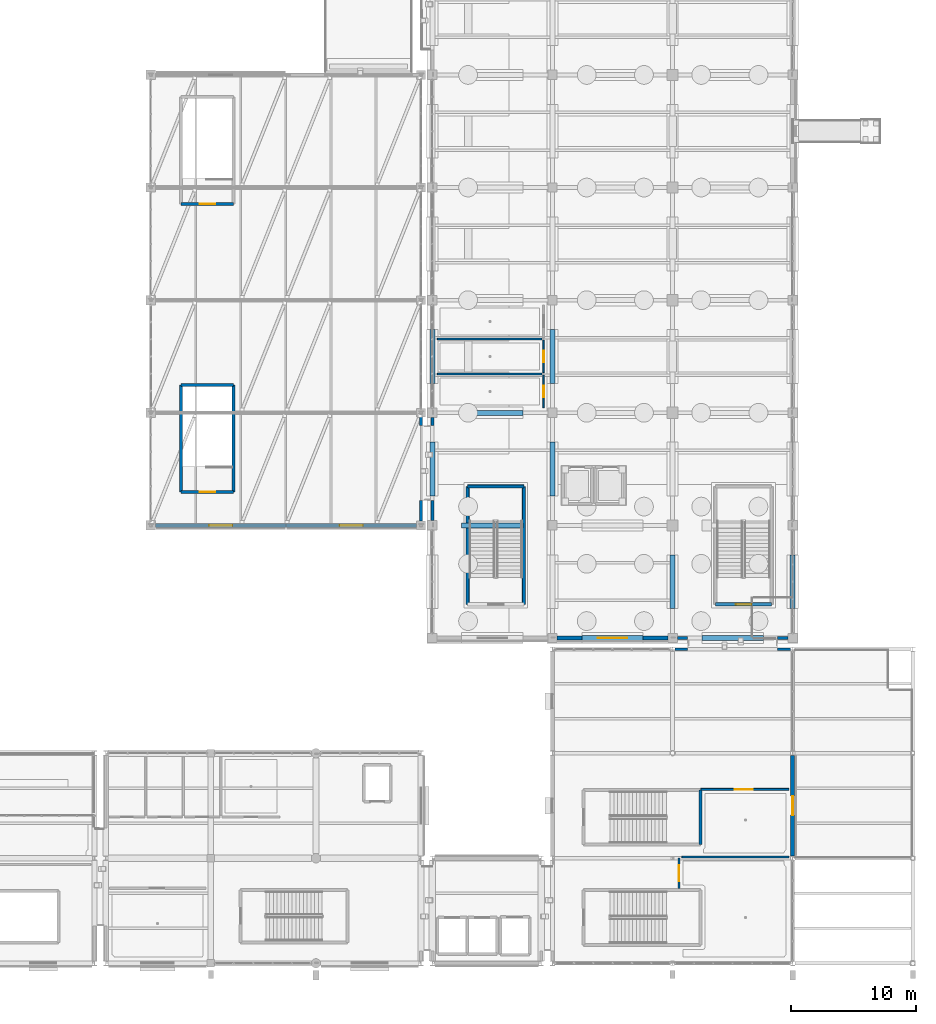
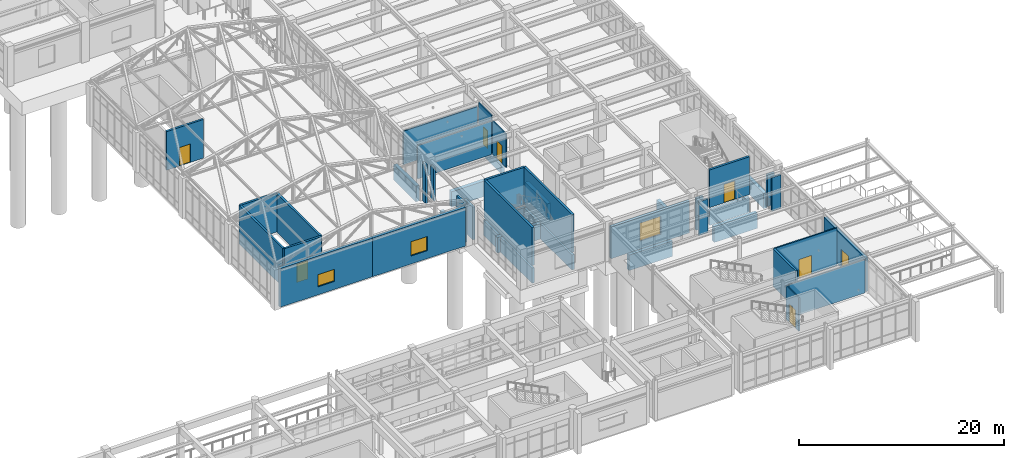
# One storey, part 112 of 139: 43 walls, 8 doors, 3 windows, 11 openings.
"""IFC4 building model written with IfcOpenShell, lengths in metres."""

import ifcopenshell
import ifcopenshell.guid

model = None  # the IFC model being written
_history = None  # IfcOwnerHistory: only IFC2X3 demands one
_inside = {}  # id of a spatial element -> (the spatial element, [elements in it])
_under = {}  # id of a project, library or spatial element -> (it, [spatial elements below it])
_declared = {}  # id of a project -> (the project, [libraries it declares])
_typed = {}  # id of a type object -> (the type object, [elements of that type])
_made_of = {}  # id of a material, layer set ... -> (it, [elements and type objects made of it])


def new_model(schema):
    """Start an empty IFC model of exactly this schema.

    Asked for "IFC4X3", IfcOpenShell would pick the latest addendum, in which some entities
    have other attributes; the version numbers below select the first issue.
    IFC2X3 requires an IfcOwnerHistory on every rooted entity: one is made here for all.
    """
    global model, _history
    if schema == "IFC4X3":
        model = ifcopenshell.file(schema_version=(4, 3, 0, 0))
    else:
        model = ifcopenshell.file(schema=schema)
    _inside.clear()
    _under.clear()
    _declared.clear()
    _typed.clear()
    _made_of.clear()
    _history = None
    if model.schema == "IFC2X3":
        org = make("IfcOrganization", Name="unknown")
        user = make(
            "IfcPersonAndOrganization",
            ThePerson=make("IfcPerson", FamilyName="unknown"),
            TheOrganization=org,
        )
        app = make(
            "IfcApplication",
            ApplicationDeveloper=org,
            Version="unknown",
            ApplicationFullName="unknown",
            ApplicationIdentifier="unknown",
        )
        _history = make(
            "IfcOwnerHistory",
            OwningUser=user,
            OwningApplication=app,
            ChangeAction="ADDED",
            CreationDate=0,
        )
    return model


def make(cls, **values):
    """One entity of the class cls with the attributes given. An attribute that is None is left unset."""
    return model.create_entity(
        cls, **{name: value for name, value in values.items() if value is not None}
    )


def rooted(cls, **values):
    """An entity with a GlobalId (a new one), such as an element, a storey or a relation."""
    return make(cls, GlobalId=ifcopenshell.guid.new(), OwnerHistory=_history, **values)


def si_unit(unit_type, name, prefix=None):
    """IfcSIUnit, for example si_unit("LENGTHUNIT", "METRE", prefix="MILLI")."""
    return make("IfcSIUnit", UnitType=unit_type, Prefix=prefix, Name=name)


def assignment(units):
    """IfcUnitAssignment: the units of a project."""
    return None if units is None else make("IfcUnitAssignment", Units=units)


def point(xyz):
    """IfcCartesianPoint."""
    return None if xyz is None else make("IfcCartesianPoint", Coordinates=xyz)


def direction(xyz):
    """IfcDirection."""
    return None if xyz is None else make("IfcDirection", DirectionRatios=xyz)


def frame(location, z_axis=None, x_axis=None):
    """IfcAxis2Placement3D, a coordinate frame: its origin and axes. An axis left out is left unset."""
    return make(
        "IfcAxis2Placement3D",
        Location=point(location),
        Axis=direction(z_axis),
        RefDirection=direction(x_axis),
    )


def frame_2d(location, x_axis=None):
    """IfcAxis2Placement2D, a coordinate frame in the plane: its origin and x axis."""
    return make(
        "IfcAxis2Placement2D", Location=point(location), RefDirection=direction(x_axis)
    )


def origin():
    """The frame at (0, 0, 0) with its axes left unset."""
    return frame((0.0, 0.0, 0.0))


def place(relative_to, where):
    """IfcLocalPlacement: puts the frame where relative to a parent placement (None: the world)."""
    return make(
        "IfcLocalPlacement", PlacementRelTo=relative_to, RelativePlacement=where
    )


def context(
    kind, dimensions, precision=None, world=None, true_north=None, identifier=None
):
    """IfcGeometricRepresentationContext, for example the 3D "Model" context."""
    return make(
        "IfcGeometricRepresentationContext",
        ContextIdentifier=identifier,
        ContextType=kind,
        CoordinateSpaceDimension=dimensions,
        Precision=precision,
        WorldCoordinateSystem=world,
        TrueNorth=true_north,
    )


def subcontext(parent, identifier, kind, view, scale=None):
    """IfcGeometricRepresentationSubContext, for example "Body" below "Model"."""
    return make(
        "IfcGeometricRepresentationSubContext",
        ContextIdentifier=identifier,
        ContextType=kind,
        ParentContext=parent,
        TargetScale=scale,
        TargetView=view,
    )


def project(units=None, contexts=None):
    """IfcProject with its units and contexts."""
    return rooted(
        "IfcProject",
        Name="project",
        RepresentationContexts=contexts,
        UnitsInContext=assignment(units),
    )


def spatial(cls, under=None, at=None, **own):
    """A site, building, storey or space (cls), placed at a placement, below another one or the project."""
    s = rooted(cls, ObjectPlacement=at, **own)
    if under is not None:
        _under.setdefault(under.id(), (under, []))[1].append(s)
    return s


def profile(cls, at=None, kind="AREA", **sizes):
    """A parametric profile (cls). Its sizes go by their IFC names, for example OverallWidth=200.0."""
    return make(cls, ProfileType=kind, Position=at, **sizes)


def rectangle(**sizes):
    """IfcRectangleProfileDef."""
    return profile("IfcRectangleProfileDef", **sizes)


def extrude(swept, where, along, depth):
    """IfcExtrudedAreaSolid: the profile swept, set in the frame where, extruded along a direction by depth."""
    return make(
        "IfcExtrudedAreaSolid",
        SweptArea=swept,
        Position=where,
        ExtrudedDirection=direction(along),
        Depth=depth,
    )


def shape(context_of_items, identifier, shape_type, items):
    """IfcShapeRepresentation: the items that make up one representation, for example the "Body"."""
    return make(
        "IfcShapeRepresentation",
        ContextOfItems=context_of_items,
        RepresentationIdentifier=identifier,
        RepresentationType=shape_type,
        Items=items,
    )


def material(Name=None, Category=None):
    """IfcMaterial."""
    return make("IfcMaterial", Name=Name, Category=Category)


def layer(
    of_material, thickness, ventilated=None, Name=None, Category=None, Priority=None
):
    """IfcMaterialLayer: one layer of a wall or slab, of a material (None: an air gap)."""
    return make(
        "IfcMaterialLayer",
        Material=of_material,
        LayerThickness=thickness,
        IsVentilated=ventilated,
        Name=Name,
        Category=Category,
        Priority=Priority,
    )


def layer_set(layers, Name=None):
    """IfcMaterialLayerSet."""
    return make("IfcMaterialLayerSet", MaterialLayers=layers, LayerSetName=Name)


def made_of(thing, what):
    """Note that an element or type object is made of a material, layer set ...; save() writes the relation."""
    if what is not None:
        _made_of.setdefault(what.id(), (what, []))[1].append(thing)
    return thing


def type_object(cls, material=None, **own):
    """A type object (cls), such as IfcWallType, which elements share."""
    return made_of(rooted(cls, **own), material)


def element(
    cls,
    number,
    at=None,
    inside=None,
    cuts=None,
    type_object=None,
    material=None,
    context=None,
    identifier="Body",
    shape_type=None,
    held_by="IfcProductDefinitionShape",
    body=None,
    shapes=None,
    **own,
):
    """One element of the class cls, such as IfcWall. Its Tag is "e" and its number.

    at: its placement. inside: the storey or other place that contains it. cuts: it is an
    opening in that element (IfcRelVoidsElement). A single representation is given by context,
    identifier, shape_type and body (its items); several are given by shapes. held_by: the class
    of the entity that holds the representations. save() writes the other relations.
    """
    e = rooted(cls, Tag="e%d" % number, ObjectPlacement=at, **own)
    if body is not None:
        shapes = [shape(context, identifier, shape_type, body)]
    if shapes is not None:
        e.Representation = make(held_by, Representations=shapes)
    if inside is not None:
        _inside.setdefault(inside.id(), (inside, []))[1].append(e)
    if cuts is not None:
        rooted(
            "IfcRelVoidsElement", RelatingBuildingElement=cuts, RelatedOpeningElement=e
        )
    if type_object is not None:
        _typed.setdefault(type_object.id(), (type_object, []))[1].append(e)
    return made_of(e, material)


def fill(opening, filler):
    """IfcRelFillsElement: the door or window that sits in an opening."""
    return rooted(
        "IfcRelFillsElement",
        RelatingOpeningElement=opening,
        RelatedBuildingElement=filler,
    )


def aggregate(whole, parts):
    """IfcRelAggregates: a whole, such as a stair, and the parts it consists of."""
    return rooted("IfcRelAggregates", RelatingObject=whole, RelatedObjects=parts)


def save(model, path):
    """Write the relations noted so far, then the file.

    IfcRelAggregates (storeys below a building ...), IfcRelContainedInSpatialStructure (elements
    in a storey), IfcRelDefinesByType, IfcRelAssociatesMaterial and IfcRelDeclares: one each for
    every whole, place, type object, material and project.
    """
    for whole, parts in _under.values():
        aggregate(whole, parts)
    for where, things in _inside.values():
        rooted(
            "IfcRelContainedInSpatialStructure",
            RelatedElements=things,
            RelatingStructure=where,
        )
    for kind, things in _typed.values():
        rooted("IfcRelDefinesByType", RelatedObjects=things, RelatingType=kind)
    for what, things in _made_of.values():
        rooted("IfcRelAssociatesMaterial", RelatedObjects=things, RelatingMaterial=what)
    for by, libraries in _declared.values():
        rooted("IfcRelDeclares", RelatingContext=by, RelatedDefinitions=libraries)
    model.write(path)


model = new_model("IFC4")

# Units and contexts
model_context = context("Model", 3, precision=1e-05, world=origin(), true_north=direction((0.0, 1.0)))
body_context = subcontext(model_context, "Body", "Model", "MODEL_VIEW")
ifc_project = project(units=[si_unit("LENGTHUNIT", "METRE"), si_unit("AREAUNIT", "SQUARE_METRE"), si_unit("VOLUMEUNIT", "CUBIC_METRE"), si_unit("PLANEANGLEUNIT", "RADIAN"), si_unit("MASSUNIT", "GRAM", prefix="KILO")], contexts=[model_context])

# Site, building, storey
site_placement = place(None, origin())
site = spatial("IfcSite", under=ifc_project, at=site_placement, CompositionType="ELEMENT")
building_placement = place(site_placement, origin())
building = spatial("IfcBuilding", under=site, at=building_placement, Name="Canglan Escarpment Cableway Terminal", CompositionType="ELEMENT")
storey_placement = place(building_placement, frame((0.0, 0.0, 14.39990234375)))
storey = spatial("IfcBuildingStorey", under=building, at=storey_placement, Name="L03", CompositionType="ELEMENT", Elevation=14.39990234375)

# Walls
ifc_material_1 = material(Name="Concrete C40", Category="concrete")
ifc_layer_1 = layer(ifc_material_1, 0.39990234375, Name="Concrete C40")
ifc_layer_set_1 = layer_set([ifc_layer_1], Name="Concrete C40")
wall_type_1 = type_object("IfcWallType", Name="WL-BENCH-SOLID-400", PredefinedType="SOLIDWALL", material=ifc_layer_set_1)
wall_1_placement = place(storey_placement, frame((149.550048828125, 34.0, -2.099853515625), z_axis=(0.0, 0.0, 1.0), x_axis=(1.0, 0.0, 0.0)))
element("IfcWall", 1, at=wall_1_placement, inside=storey, type_object=wall_type_1, Name="Hillside bench foundation wall BWALL-X-FB9-1-2", PredefinedType="SOLIDWALL", context=body_context, shape_type="SweptSolid", body=[
    extrude(rectangle(XDim=4.89990234375, YDim=0.39990234375, at=frame_2d((2.449951171875, 0.0))), origin(), (0.0, 0.0, 1.0), 1.849853515625),
])
for number, where, z_axis, x_axis, name in (
    (2, (159.14990234375, 34.0, -2.099853515625), (0.0, 0.0, 1.0), (1.0, 0.0, 0.0), "Hillside bench foundation wall BWALL-X-FB9-1-3"),
    (3, (139.949951171875, 43.0, -2.099853515625), (0.0, 0.0, 1.0), (1.0, 0.0, 0.0), "Hillside bench foundation wall BWALL-X-FB9-2-1"),
    (4, (139.949951171875, 52.0, -2.099853515625), (0.0, 0.0, 1.0), (1.0, 0.0, 0.0), "Hillside bench foundation wall BWALL-X-FB9-3-1"),
):
    element("IfcWall", number, at=place(storey_placement, frame(where, z_axis=z_axis, x_axis=x_axis)), inside=storey, type_object=wall_type_1, Name=name, PredefinedType="SOLIDWALL", context=body_context, shape_type="SweptSolid", body=[
        extrude(rectangle(XDim=4.900146484375, YDim=0.39990234375, at=frame_2d((2.4501953125, 0.0))), origin(), (0.0, 0.0, 1.0), 1.849853515625),
    ])
for number, where, z_axis, x_axis, name in (
    (5, (137.60009765625, 45.35009765625, -2.099853515625), (0.0, 0.0, 1.0), (0.0, 1.0, 0.0), "Hillside bench transverse foundation wall BWALL-Y-FB9-1-2"),
    (6, (137.60009765625, 54.35009765625, -2.099853515625), (0.0, 0.0, 1.0), (0.0, 1.0, 0.0), "Hillside bench transverse foundation wall BWALL-Y-FB9-1-3"),
    (7, (147.199951171875, 45.35009765625, -2.099853515625), (0.0, 0.0, 1.0), (0.0, 1.0, 0.0), "Hillside bench transverse foundation wall BWALL-Y-FB9-2-2"),
    (8, (147.199951171875, 54.35009765625, -2.099853515625), (0.0, 0.0, 1.0), (0.0, 1.0, 0.0), "Hillside bench transverse foundation wall BWALL-Y-FB9-2-3"),
    (9, (156.800048828125, 36.35009765625, -2.099853515625), (0.0, 0.0, 1.0), (0.0, 1.0, 0.0), "Hillside bench transverse foundation wall BWALL-Y-FB9-3-1"),
    (10, (166.39990234375, 36.35009765625, -2.099853515625), (0.0, 0.0, 1.0), (0.0, 1.0, 0.0), "Hillside bench transverse foundation wall BWALL-Y-FB9-4-1"),
):
    element("IfcWall", number, at=place(storey_placement, frame(where, z_axis=z_axis, x_axis=x_axis)), inside=storey, type_object=wall_type_1, Name=name, PredefinedType="SOLIDWALL", context=body_context, shape_type="SweptSolid", body=[
        extrude(rectangle(XDim=4.2998046875, YDim=0.39990234375, at=frame_2d((2.14990234375, 0.0))), origin(), (0.0, 0.0, 1.0), 1.849853515625),
    ])
wall_2_placement = place(storey_placement, frame((144.919921875, 36.679931640625, -2.099853515625), z_axis=(0.0, 0.0, 1.0), x_axis=(0.0, 1.0, 0.0)))
element("IfcWall", 11, at=wall_2_placement, inside=storey, type_object=wall_type_1, Name="Stair core foundation wall ST-13", PredefinedType="SOLIDWALL", context=body_context, shape_type="SweptSolid", body=[
    extrude(rectangle(XDim=9.440185546875, YDim=0.280029296875, at=frame_2d((4.72021484375, 0.0))), origin(), (0.0, 0.0, 1.0), 1.800048828125),
])
wall_3_placement = place(storey_placement, frame((144.919921875, 46.1201171875, -2.099853515625), z_axis=(0.0, 0.0, 1.0), x_axis=(-1.0, 0.0, 0.0)))
element("IfcWall", 12, at=wall_3_placement, inside=storey, type_object=wall_type_1, Name="Stair core foundation wall ST-13", PredefinedType="SOLIDWALL", context=body_context, shape_type="SweptSolid", body=[
    extrude(rectangle(XDim=4.489990234375, YDim=0.280029296875, at=frame_2d((2.2451171875, 0.0))), origin(), (0.0, 0.0, 1.0), 1.800048828125),
])
wall_4_placement = place(storey_placement, frame((140.429931640625, 46.1201171875, -2.099853515625), z_axis=(0.0, 0.0, 1.0), x_axis=(0.0, -1.0, 0.0)))
element("IfcWall", 13, at=wall_4_placement, inside=storey, type_object=wall_type_1, Name="Stair core foundation wall ST-13", PredefinedType="SOLIDWALL", context=body_context, shape_type="SweptSolid", body=[
    extrude(rectangle(XDim=9.440185546875, YDim=0.280029296875, at=frame_2d((4.72021484375, 0.0))), origin(), (0.0, 0.0, 1.0), 1.800048828125),
])
wall_5_placement = place(storey_placement, frame((160.22998046875, 36.679931640625, -2.099853515625), z_axis=(0.0, 0.0, 1.0), x_axis=(1.0, 0.0, 0.0)))
element("IfcWall", 14, at=wall_5_placement, inside=storey, type_object=wall_type_1, Name="Stair core foundation wall ST-15", PredefinedType="SOLIDWALL", context=body_context, shape_type="SweptSolid", body=[
    extrude(rectangle(XDim=4.489990234375, YDim=0.280029296875, at=frame_2d((2.2451171875, 0.0))), origin(), (0.0, 0.0, 1.0), 1.800048828125),
])
ifc_layer_2 = layer(ifc_material_1, 0.239990234375, Name="Concrete C40")
ifc_layer_set_2 = layer_set([ifc_layer_2], Name="Concrete C40")
wall_type_2 = type_object("IfcWallType", Name="WL-CORE-SHEAR-240", PredefinedType="SHEAR", material=ifc_layer_set_2)
wall_6_placement = place(storey_placement, frame((159.02001953125, 17.47998046875, 0.0), z_axis=(0.0, 0.0, 1.0), x_axis=(0.0, 1.0, 0.0)))
element("IfcWall", 15, at=wall_6_placement, inside=storey, type_object=wall_type_2, Name="Protected stair core wall ST-09 (L03)", PredefinedType="SHEAR", context=body_context, shape_type="SweptSolid", body=[
    extrude(rectangle(XDim=4.39013671875, YDim=0.239990234375, at=frame_2d((2.195068359375, 0.0))), origin(), (0.0, 0.0, 1.0), 4.5),
])
wall_7_placement = place(storey_placement, frame((121.719970703125, 45.679931640625, 0.0), z_axis=(0.0, 0.0, 1.0), x_axis=(0.0, 1.0, 0.0)))
element("IfcWall", 16, at=wall_7_placement, inside=storey, type_object=wall_type_2, Name="Protected stair core wall ST-10 (L03)", PredefinedType="SHEAR", context=body_context, shape_type="SweptSolid", body=[
    extrude(rectangle(XDim=8.5400390625, YDim=0.239990234375, at=frame_2d((4.27001953125, 0.0))), origin(), (0.0, 0.0, 1.0), 4.60009765625),
])
wall_8_placement = place(storey_placement, frame((121.719970703125, 54.219970703125, 0.0), z_axis=(0.0, 0.0, 1.0), x_axis=(-1.0, 0.0, 0.0)))
element("IfcWall", 17, at=wall_8_placement, inside=storey, type_object=wall_type_2, Name="Protected stair core wall ST-10 (L03)", PredefinedType="SHEAR", context=body_context, shape_type="SweptSolid", body=[
    extrude(rectangle(XDim=4.18994140625, YDim=0.239990234375, at=frame_2d((2.094970703125, 0.0))), origin(), (0.0, 0.0, 1.0), 4.60009765625),
])
wall_9_placement = place(storey_placement, frame((117.530029296875, 54.219970703125, 0.0), z_axis=(0.0, 0.0, 1.0), x_axis=(0.0, -1.0, 0.0)))
element("IfcWall", 18, at=wall_9_placement, inside=storey, type_object=wall_type_2, Name="Protected stair core wall ST-10 (L03)", PredefinedType="SHEAR", context=body_context, shape_type="SweptSolid", body=[
    extrude(rectangle(XDim=8.5400390625, YDim=0.239990234375, at=frame_2d((4.27001953125, 0.0))), origin(), (0.0, 0.0, 1.0), 4.60009765625),
])

# Wall, opening, door
wall_10_placement = place(storey_placement, frame((117.530029296875, 45.679931640625, 0.0), z_axis=(0.0, 0.0, 1.0), x_axis=(1.0, 0.0, 0.0)))
wall_10 = element("IfcWall", 19, at=wall_10_placement, inside=storey, type_object=wall_type_2, Name="Protected stair core wall ST-10 (L03)", PredefinedType="SHEAR", context=body_context, shape_type="SweptSolid", body=[
    extrude(rectangle(XDim=4.18994140625, YDim=0.239990234375, at=frame_2d((2.094970703125, 0.0))), origin(), (0.0, 0.0, 1.0), 4.60009765625),
])
opening_1_placement = place(wall_10_placement, frame((1.469970703125, 0.0, 0.0)))
opening_1 = element("IfcOpeningElement", 20, at=opening_1_placement, cuts=wall_10, Name="Opening SD-D1", PredefinedType="OPENING", context=body_context, shape_type="SweptSolid", body=[
    extrude(rectangle(XDim=1.25, YDim=2.199951171875, at=frame_2d((0.625, 1.10009765625))), frame((0.0, 0.1298828125, 0.0), z_axis=(0.0, -1.0, 0.0), x_axis=(1.0, 0.0, 0.0)), (0.0, 0.0, 1.0), 0.260009765625),
])
ifc_material_2 = material(Name="Steel fire-resisting stair door", Category="steel")
door_type_1 = type_object("IfcDoorType", Name="DR-STAIR-EI90-1250", OperationType="NOTDEFINED", PredefinedType="DOOR", material=ifc_material_2)
door_1_placement = place(opening_1_placement, origin())
door_1 = element("IfcDoor", 21, at=door_1_placement, inside=storey, type_object=door_type_1, Name="Protected exit stair fire door ST-10 (L03)", OperationType="SINGLE_SWING_LEFT", OverallHeight=2.199951171875, OverallWidth=1.25, PredefinedType="DOOR", context=body_context, shape_type="SweptSolid", body=[
    extrude(rectangle(XDim=1.25, YDim=2.199951171875, at=frame_2d((0.625, 1.10009765625))), frame((0.0, 0.02490234375, 0.0), z_axis=(0.0, -1.0, 0.0), x_axis=(1.0, 0.0, 0.0)), (0.0, 0.0, 1.0), 0.050048828125),
])
fill(opening_1, door_1)

wall_11_placement = place(storey_placement, frame((117.530029296875, 68.679931640625, 0.0), z_axis=(0.0, 0.0, 1.0), x_axis=(1.0, 0.0, 0.0)))
wall_11 = element("IfcWall", 22, at=wall_11_placement, inside=storey, type_object=wall_type_2, Name="Protected stair core wall ST-11 (L03)", PredefinedType="SHEAR", context=body_context, shape_type="SweptSolid", body=[
    extrude(rectangle(XDim=4.18994140625, YDim=0.239990234375, at=frame_2d((2.094970703125, 0.0))), origin(), (0.0, 0.0, 1.0), 4.60009765625),
])
opening_2_placement = place(wall_11_placement, frame((1.469970703125, 0.0, 0.0)))
opening_2 = element("IfcOpeningElement", 23, at=opening_2_placement, cuts=wall_11, Name="Opening SD-D1", PredefinedType="OPENING", context=body_context, shape_type="SweptSolid", body=[
    extrude(rectangle(XDim=1.25, YDim=2.199951171875, at=frame_2d((0.625, 1.10009765625))), frame((0.0, 0.1298828125, 0.0), z_axis=(0.0, -1.0, 0.0), x_axis=(1.0, 0.0, 0.0)), (0.0, 0.0, 1.0), 0.260009765625),
])
door_2_placement = place(opening_2_placement, origin())
door_2 = element("IfcDoor", 24, at=door_2_placement, inside=storey, type_object=door_type_1, Name="Protected exit stair fire door ST-11 (L03)", OperationType="SINGLE_SWING_LEFT", OverallHeight=2.199951171875, OverallWidth=1.25, PredefinedType="DOOR", context=body_context, shape_type="SweptSolid", body=[
    extrude(rectangle(XDim=1.25, YDim=2.199951171875, at=frame_2d((0.625, 1.10009765625))), frame((0.0, 0.02490234375, 0.0), z_axis=(0.0, -1.0, 0.0), x_axis=(1.0, 0.0, 0.0)), (0.0, 0.0, 1.0), 0.050048828125),
])
fill(opening_2, door_2)

# Walls
wall_12_placement = place(storey_placement, frame((144.919921875, 36.679931640625, 0.0), z_axis=(0.0, 0.0, 1.0), x_axis=(0.0, 1.0, 0.0)))
element("IfcWall", 25, at=wall_12_placement, inside=storey, type_object=wall_type_2, Name="Protected stair core wall ST-13 (L03)", PredefinedType="SHEAR", context=body_context, shape_type="SweptSolid", body=[
    extrude(rectangle(XDim=9.440185546875, YDim=0.239990234375, at=frame_2d((4.72021484375, 0.0))), origin(), (0.0, 0.0, 1.0), 4.5),
])
wall_13_placement = place(storey_placement, frame((144.919921875, 46.1201171875, 0.0), z_axis=(0.0, 0.0, 1.0), x_axis=(-1.0, 0.0, 0.0)))
element("IfcWall", 26, at=wall_13_placement, inside=storey, type_object=wall_type_2, Name="Protected stair core wall ST-13 (L03)", PredefinedType="SHEAR", context=body_context, shape_type="SweptSolid", body=[
    extrude(rectangle(XDim=4.489990234375, YDim=0.239990234375, at=frame_2d((2.2451171875, 0.0))), origin(), (0.0, 0.0, 1.0), 4.5),
])
wall_14_placement = place(storey_placement, frame((140.429931640625, 46.1201171875, 0.0), z_axis=(0.0, 0.0, 1.0), x_axis=(0.0, -1.0, 0.0)))
element("IfcWall", 27, at=wall_14_placement, inside=storey, type_object=wall_type_2, Name="Protected stair core wall ST-13 (L03)", PredefinedType="SHEAR", context=body_context, shape_type="SweptSolid", body=[
    extrude(rectangle(XDim=9.440185546875, YDim=0.239990234375, at=frame_2d((4.72021484375, 0.0))), origin(), (0.0, 0.0, 1.0), 4.5),
])

# Wall, opening, door
wall_15_placement = place(storey_placement, frame((160.22998046875, 36.679931640625, 0.0), z_axis=(0.0, 0.0, 1.0), x_axis=(1.0, 0.0, 0.0)))
wall_15 = element("IfcWall", 28, at=wall_15_placement, inside=storey, type_object=wall_type_2, Name="Protected stair core wall ST-15 (L03)", PredefinedType="SHEAR", context=body_context, shape_type="SweptSolid", body=[
    extrude(rectangle(XDim=4.489990234375, YDim=0.239990234375, at=frame_2d((2.2451171875, 0.0))), origin(), (0.0, 0.0, 1.0), 4.5),
])
opening_3_placement = place(wall_15_placement, frame((1.6201171875, 0.0, 0.0)))
opening_3 = element("IfcOpeningElement", 29, at=opening_3_placement, cuts=wall_15, Name="Opening SD-D1", PredefinedType="OPENING", context=body_context, shape_type="SweptSolid", body=[
    extrude(rectangle(XDim=1.25, YDim=2.199951171875, at=frame_2d((0.625, 1.10009765625))), frame((0.0, 0.1298828125, 0.0), z_axis=(0.0, -1.0, 0.0), x_axis=(1.0, 0.0, 0.0)), (0.0, 0.0, 1.0), 0.260009765625),
])
door_3_placement = place(opening_3_placement, origin())
door_3 = element("IfcDoor", 30, at=door_3_placement, inside=storey, type_object=door_type_1, Name="Protected exit stair fire door ST-15 (L03)", OperationType="SINGLE_SWING_LEFT", OverallHeight=2.199951171875, OverallWidth=1.25, PredefinedType="DOOR", context=body_context, shape_type="SweptSolid", body=[
    extrude(rectangle(XDim=1.25, YDim=2.199951171875, at=frame_2d((0.625, 1.10009765625))), frame((0.0, 0.02490234375, 0.0), z_axis=(0.0, -1.0, 0.0), x_axis=(1.0, 0.0, 0.0)), (0.0, 0.0, 1.0), 0.050048828125),
])
fill(opening_3, door_3)

ifc_material_3 = material(Name="Dressed ashlar limestone on Concrete C40", Category="masonry")
ifc_layer_3 = layer(ifc_material_3, 0.320068359375, Name="Dressed ashlar limestone on Concrete C40")
ifc_layer_set_3 = layer_set([ifc_layer_3], Name="Dressed ashlar limestone on Concrete C40")
wall_type_3 = type_object("IfcWallType", Name="WL-EXT-ASHLAR-320", PredefinedType="STANDARD", material=ifc_layer_set_3)
wall_16_placement = place(storey_placement, frame((166.39990234375, 16.574951171875, 0.0), z_axis=(0.0, 0.0, 1.0), x_axis=(0.0, 1.0, 0.0)))
wall_16 = element("IfcWall", 31, at=wall_16_placement, inside=storey, type_object=wall_type_3, Name="Classical stone-faced exterior wall EW-FB5-L03-E-02", PredefinedType="STANDARD", context=body_context, shape_type="SweptSolid", body=[
    extrude(rectangle(XDim=8.050048828125, YDim=0.320068359375, at=frame_2d((4.02490234375, 0.0))), origin(), (0.0, 0.0, 1.0), 3.9970703125),
])
opening_4_placement = place(wall_16_placement, frame((3.264892578125, 0.0, 0.0)))
opening_4 = element("IfcOpeningElement", 32, at=opening_4_placement, cuts=wall_16, Name="Opening ED-08", PredefinedType="OPENING", context=body_context, shape_type="SweptSolid", body=[
    extrude(rectangle(XDim=1.52001953125, YDim=2.219970703125, at=frame_2d((0.760009765625, 1.10986328125))), frame((0.0, 0.169921875, 0.0), z_axis=(0.0, -1.0, 0.0), x_axis=(1.0, 0.0, 0.0)), (0.0, 0.0, 1.0), 0.340087890625),
])
ifc_material_4 = material(Name="Anodized bronze aluminium and tempered safety glass", Category="aluminium")
door_type_2 = type_object("IfcDoorType", Name="DR-EXT-BALC-1520", OperationType="NOTDEFINED", PredefinedType="DOOR", material=ifc_material_4)
door_4_placement = place(opening_4_placement, origin())
door_4 = element("IfcDoor", 33, at=door_4_placement, inside=storey, type_object=door_type_2, Name="Terrace access glazed door ED-08", OperationType="DOUBLE_DOOR_SINGLE_SWING", OverallHeight=2.219970703125, OverallWidth=1.52001953125, PredefinedType="DOOR", context=body_context, shape_type="SweptSolid", body=[
    extrude(rectangle(XDim=1.52001953125, YDim=2.219970703125, at=frame_2d((0.760009765625, 1.10986328125))), frame((0.0, 0.02490234375, 0.0), z_axis=(0.0, -1.0, 0.0), x_axis=(1.0, 0.0, 0.0)), (0.0, 0.0, 1.0), 0.050048828125),
])
fill(opening_4, door_4)

# Wall, opening, window
wall_17_placement = place(storey_placement, frame((147.574951171875, 34.0, 0.0), z_axis=(0.0, 0.0, 1.0), x_axis=(1.0, 0.0, 0.0)))
wall_17 = element("IfcWall", 34, at=wall_17_placement, inside=storey, type_object=wall_type_3, Name="Classical stone-faced exterior wall EW-FB9-L03-S-02", PredefinedType="STANDARD", context=body_context, shape_type="SweptSolid", body=[
    extrude(rectangle(XDim=8.85009765625, YDim=0.320068359375, at=frame_2d((4.425048828125, 0.0))), origin(), (0.0, 0.0, 1.0), 3.78515625),
])
opening_5_placement = place(wall_17_placement, frame((3.25, 0.0, 0.949951171875)))
opening_5 = element("IfcOpeningElement", 35, at=opening_5_placement, cuts=wall_17, Name="Opening W-24", PredefinedType="OPENING", context=body_context, shape_type="SweptSolid", body=[
    extrude(rectangle(XDim=2.35009765625, YDim=2.14990234375, at=frame_2d((1.175048828125, 1.074951171875))), frame((0.0, 0.169921875, 0.0), z_axis=(0.0, -1.0, 0.0), x_axis=(1.0, 0.0, 0.0)), (0.0, 0.0, 1.0), 0.340087890625),
])
ifc_material_5 = material(Name="Anodized bronze aluminium and Low-E double glazing", Category="aluminium")
window_type_1 = type_object("IfcWindowType", Name="WIN-EXT-24", PartitioningType="DOUBLE_PANEL_VERTICAL", PredefinedType="WINDOW", material=ifc_material_5)
window_1_placement = place(opening_5_placement, origin())
window_1 = element("IfcWindow", 36, at=window_1_placement, inside=storey, type_object=window_type_1, Name="Classical module window W-24", OverallHeight=2.14990234375, OverallWidth=2.35009765625, PartitioningType="SINGLE_PANEL", PredefinedType="WINDOW", context=body_context, shape_type="SweptSolid", body=[
    extrude(rectangle(XDim=2.35009765625, YDim=2.14990234375, at=frame_2d((1.175048828125, 1.074951171875))), frame((0.0, 0.030029296875, 0.0), z_axis=(0.0, -1.0, 0.0), x_axis=(1.0, 0.0, 0.0)), (0.0, 0.0, 1.0), 0.06005859375),
])
fill(opening_5, window_1)

ifc_material_6 = material(Name="Bush-hammered granite ashlar on Concrete C40", Category="masonry")
ifc_layer_4 = layer(ifc_material_6, 0.340087890625, Name="Bush-hammered granite ashlar on Concrete C40")
ifc_layer_set_4 = layer_set([ifc_layer_4], Name="Bush-hammered granite ashlar on Concrete C40")
wall_type_4 = type_object("IfcWallType", Name="WL-EXT-GRAN-340", PredefinedType="STANDARD", material=ifc_layer_set_4)
wall_18_placement = place(storey_placement, frame((115.47509765625, 43.0, 0.0), z_axis=(0.0, 0.0, 1.0), x_axis=(1.0, 0.0, 0.0)))
wall_18 = element("IfcWall", 37, at=wall_18_placement, inside=storey, type_object=wall_type_4, Name="Classical stone-faced exterior wall EW-FB7-L03-S-01", PredefinedType="STANDARD", context=body_context, shape_type="SweptSolid", body=[
    extrude(rectangle(XDim=10.4248046875, YDim=0.340087890625, at=frame_2d((5.21240234375, 0.0))), origin(), (0.0, 0.0, 1.0), 4.60009765625),
])
opening_6_placement = place(wall_18_placement, frame((4.28759765625, 0.0, 0.949951171875)))
opening_6 = element("IfcOpeningElement", 38, at=opening_6_placement, cuts=wall_18, Name="Opening W-13", PredefinedType="OPENING", context=body_context, shape_type="SweptSolid", body=[
    extrude(rectangle(XDim=1.85009765625, YDim=1.449951171875, at=frame_2d((0.925048828125, 0.72509765625))), frame((0.0, 0.18017578125, 0.0), z_axis=(0.0, -1.0, 0.0), x_axis=(1.0, 0.0, 0.0)), (0.0, 0.0, 1.0), 0.360107421875),
])
window_type_2 = type_object("IfcWindowType", Name="WIN-EXT-13", PartitioningType="DOUBLE_PANEL_VERTICAL", PredefinedType="WINDOW", material=ifc_material_5)
window_2_placement = place(opening_6_placement, origin())
window_2 = element("IfcWindow", 39, at=window_2_placement, inside=storey, type_object=window_type_2, Name="Classical module window W-13", OverallHeight=1.449951171875, OverallWidth=1.85009765625, PartitioningType="SINGLE_PANEL", PredefinedType="WINDOW", context=body_context, shape_type="SweptSolid", body=[
    extrude(rectangle(XDim=1.85009765625, YDim=1.449951171875, at=frame_2d((0.925048828125, 0.72509765625))), frame((0.0, 0.030029296875, 0.0), z_axis=(0.0, -1.0, 0.0), x_axis=(1.0, 0.0, 0.0)), (0.0, 0.0, 1.0), 0.06005859375),
])
fill(opening_6, window_2)

wall_19_placement = place(storey_placement, frame((125.89990234375, 43.0, 0.0), z_axis=(0.0, 0.0, 1.0), x_axis=(1.0, 0.0, 0.0)))
wall_19 = element("IfcWall", 40, at=wall_19_placement, inside=storey, type_object=wall_type_4, Name="Classical stone-faced exterior wall EW-FB7-L03-S-02", PredefinedType="STANDARD", context=body_context, shape_type="SweptSolid", body=[
    extrude(rectangle(XDim=10.4501953125, YDim=0.340087890625, at=frame_2d((5.22509765625, 0.0))), origin(), (0.0, 0.0, 1.0), 4.60009765625),
])
opening_7_placement = place(wall_19_placement, frame((4.300048828125, 0.0, 0.949951171875)))
opening_7 = element("IfcOpeningElement", 41, at=opening_7_placement, cuts=wall_19, Name="Opening W-14", PredefinedType="OPENING", context=body_context, shape_type="SweptSolid", body=[
    extrude(rectangle(XDim=1.85009765625, YDim=1.699951171875, at=frame_2d((0.925048828125, 0.85009765625))), frame((0.0, 0.18017578125, 0.0), z_axis=(0.0, -1.0, 0.0), x_axis=(1.0, 0.0, 0.0)), (0.0, 0.0, 1.0), 0.360107421875),
])
window_type_3 = type_object("IfcWindowType", Name="WIN-EXT-14", PartitioningType="DOUBLE_PANEL_VERTICAL", PredefinedType="WINDOW", material=ifc_material_5)
window_3_placement = place(opening_7_placement, origin())
window_3 = element("IfcWindow", 42, at=window_3_placement, inside=storey, type_object=window_type_3, Name="Classical module window W-14", OverallHeight=1.699951171875, OverallWidth=1.85009765625, PartitioningType="SINGLE_PANEL", PredefinedType="WINDOW", context=body_context, shape_type="SweptSolid", body=[
    extrude(rectangle(XDim=1.85009765625, YDim=1.699951171875, at=frame_2d((0.925048828125, 0.85009765625))), frame((0.0, 0.030029296875, 0.0), z_axis=(0.0, -1.0, 0.0), x_axis=(1.0, 0.0, 0.0)), (0.0, 0.0, 1.0), 0.06005859375),
])
fill(opening_7, window_3)

# Walls
ifc_material_7 = material(Name="Insulated stone-faced spandrel wall", Category="masonry")
ifc_layer_5 = layer(ifc_material_7, 0.22998046875, Name="Insulated stone-faced spandrel wall")
ifc_layer_set_5 = layer_set([ifc_layer_5], Name="Insulated stone-faced spandrel wall")
wall_type_5 = type_object("IfcWallType", Name="WL-EXT-LINK-230", PredefinedType="STANDARD", material=ifc_layer_set_5)
wall_20_placement = place(storey_placement, frame((156.97509765625, 33.10009765625, 0.0), z_axis=(0.0, 0.0, 1.0), x_axis=(1.0, 0.0, 0.0)))
element("IfcWall", 43, at=wall_20_placement, inside=storey, type_object=wall_type_5, Name="Classical stone-faced exterior wall EW-FB5-L03-N-02-FL1", PredefinedType="STANDARD", context=body_context, shape_type="SweptSolid", body=[
    extrude(rectangle(XDim=1.02490234375, YDim=0.22998046875, at=frame_2d((0.512451171875, 0.0))), origin(), (0.0, 0.0, 1.0), 3.9970703125),
])
wall_21_placement = place(storey_placement, frame((165.199951171875, 33.10009765625, 0.0), z_axis=(0.0, 0.0, 1.0), x_axis=(1.0, 0.0, 0.0)))
element("IfcWall", 44, at=wall_21_placement, inside=storey, type_object=wall_type_5, Name="Classical stone-faced exterior wall EW-FB5-L03-N-02-FL2", PredefinedType="STANDARD", context=body_context, shape_type="SweptSolid", body=[
    extrude(rectangle(XDim=1.025146484375, YDim=0.22998046875, at=frame_2d((0.5126953125, 0.0))), origin(), (0.0, 0.0, 1.0), 3.9970703125),
])
wall_22_placement = place(storey_placement, frame((136.699951171875, 43.35009765625, 0.0), z_axis=(0.0, 0.0, 1.0), x_axis=(0.0, 1.0, 0.0)))
element("IfcWall", 45, at=wall_22_placement, inside=storey, type_object=wall_type_5, Name="Classical stone-faced exterior wall EW-FB7-L03-E-01-FL1", PredefinedType="STANDARD", context=body_context, shape_type="SweptSolid", body=[
    extrude(rectangle(XDim=1.64990234375, YDim=0.22998046875, at=frame_2d((0.824951171875, 0.0))), origin(), (0.0, 0.0, 1.0), 4.60009765625),
])
wall_23_placement = place(storey_placement, frame((136.699951171875, 51.0, 0.0), z_axis=(0.0, 0.0, 1.0), x_axis=(0.0, 1.0, 0.0)))
element("IfcWall", 46, at=wall_23_placement, inside=storey, type_object=wall_type_5, Name="Classical stone-faced exterior wall EW-FB7-L03-E-01-FL2", PredefinedType="STANDARD", context=body_context, shape_type="SweptSolid", body=[
    extrude(rectangle(XDim=0.64990234375, YDim=0.22998046875, at=frame_2d((0.324951171875, 0.0))), origin(), (0.0, 0.0, 1.0), 4.60009765625),
])
for number, where, z_axis, x_axis, name in (
    (47, (157.175048828125, 34.0, 0.0), (0.0, 0.0, 1.0), (1.0, 0.0, 0.0), "Classical stone-faced exterior wall EW-FB9-L03-S-03-FL1"),
    (48, (165.199951171875, 34.0, 0.0), (0.0, 0.0, 1.0), (1.0, 0.0, 0.0), "Classical stone-faced exterior wall EW-FB9-L03-S-03-FL2"),
):
    element("IfcWall", number, at=place(storey_placement, frame(where, z_axis=z_axis, x_axis=x_axis)), inside=storey, type_object=wall_type_5, Name=name, PredefinedType="STANDARD", context=body_context, shape_type="SweptSolid", body=[
        extrude(rectangle(XDim=0.824951171875, YDim=0.22998046875, at=frame_2d((0.41259765625, 0.0))), origin(), (0.0, 0.0, 1.0), 3.78515625),
    ])
wall_24_placement = place(storey_placement, frame((137.60009765625, 43.375, 0.0), z_axis=(0.0, 0.0, 1.0), x_axis=(0.0, 1.0, 0.0)))
element("IfcWall", 49, at=wall_24_placement, inside=storey, type_object=wall_type_5, Name="Classical stone-faced exterior wall EW-FB9-L03-W-02-FL1", PredefinedType="STANDARD", context=body_context, shape_type="SweptSolid", body=[
    extrude(rectangle(XDim=1.625, YDim=0.22998046875, at=frame_2d((0.8125, 0.0))), origin(), (0.0, 0.0, 1.0), 3.89111328125),
])
wall_25_placement = place(storey_placement, frame((137.60009765625, 51.0, 0.0), z_axis=(0.0, 0.0, 1.0), x_axis=(0.0, 1.0, 0.0)))
element("IfcWall", 50, at=wall_25_placement, inside=storey, type_object=wall_type_5, Name="Classical stone-faced exterior wall EW-FB9-L03-W-02-FL2", PredefinedType="STANDARD", context=body_context, shape_type="SweptSolid", body=[
    extrude(rectangle(XDim=0.625, YDim=0.22998046875, at=frame_2d((0.3125, 0.0))), origin(), (0.0, 0.0, 1.0), 3.89111328125),
])

# Wall, opening, door
ifc_material_8 = material(Name="Moisture-resistant tile-faced partition", Category="gypsum")
ifc_layer_6 = layer(ifc_material_8, 0.1201171875, Name="Moisture-resistant tile-faced partition")
ifc_layer_set_6 = layer_set([ifc_layer_6], Name="Moisture-resistant tile-faced partition")
wall_type_6 = type_object("IfcWallType", Name="WL-INT-PART-120", PredefinedType="PARTITIONING", material=ifc_layer_set_6)
wall_26_placement = place(storey_placement, frame((146.5, 52.39990234375, 0.0), z_axis=(0.0, 0.0, 1.0), x_axis=(0.0, 1.0, 0.0)))
wall_26 = element("IfcWall", 51, at=wall_26_placement, inside=storey, type_object=wall_type_6, Name="Interior partition wall IW-L03-15-MAIN", PredefinedType="PARTITIONING", context=body_context, shape_type="SweptSolid", body=[
    extrude(rectangle(XDim=2.60009765625, YDim=0.1201171875, at=frame_2d((1.300048828125, 0.0))), origin(), (0.0, 0.0, 1.0), 3.985107421875),
])
opening_8_placement = place(wall_26_placement, frame((0.824951171875, 0.0, 0.0)))
opening_8 = element("IfcOpeningElement", 52, at=opening_8_placement, cuts=wall_26, Name="Opening ID-01", PredefinedType="OPENING", context=body_context, shape_type="SweptSolid", body=[
    extrude(rectangle(XDim=0.949951171875, YDim=2.1201171875, at=frame_2d((0.47509765625, 1.06005859375))), frame((0.0, 0.070068359375, 0.0), z_axis=(0.0, -1.0, 0.0), x_axis=(1.0, 0.0, 0.0)), (0.0, 0.0, 1.0), 0.14013671875),
])
ifc_material_9 = material(Name="Stained oak and safety glass door", Category="glass")
door_type_3 = type_object("IfcDoorType", Name="DR-INT-ID-01", OperationType="NOTDEFINED", PredefinedType="DOOR", material=ifc_material_9)
door_5_placement = place(opening_8_placement, origin())
door_5 = element("IfcDoor", 53, at=door_5_placement, inside=storey, type_object=door_type_3, Name="Accessible WC door ID-01", OperationType="SINGLE_SWING_RIGHT", OverallHeight=2.1201171875, OverallWidth=0.949951171875, PredefinedType="DOOR", context=body_context, shape_type="SweptSolid", body=[
    extrude(rectangle(XDim=0.949951171875, YDim=2.1201171875, at=frame_2d((0.47509765625, 1.06005859375))), frame((0.0, 0.02490234375, 0.0), z_axis=(0.0, -1.0, 0.0), x_axis=(1.0, 0.0, 0.0)), (0.0, 0.0, 1.0), 0.050048828125),
])
fill(opening_8, door_5)

wall_27_placement = place(storey_placement, frame((146.5, 55.199951171875, 0.0), z_axis=(0.0, 0.0, 1.0), x_axis=(0.0, 1.0, 0.0)))
wall_27 = element("IfcWall", 54, at=wall_27_placement, inside=storey, type_object=wall_type_6, Name="Interior partition wall IW-L03-16-MAIN", PredefinedType="PARTITIONING", context=body_context, shape_type="SweptSolid", body=[
    extrude(rectangle(XDim=2.60009765625, YDim=0.1201171875, at=frame_2d((1.300048828125, 0.0))), origin(), (0.0, 0.0, 1.0), 4.485107421875),
])
opening_9_placement = place(wall_27_placement, frame((0.824951171875, 0.0, 0.0)))
opening_9 = element("IfcOpeningElement", 55, at=opening_9_placement, cuts=wall_27, Name="Opening ID-01", PredefinedType="OPENING", context=body_context, shape_type="SweptSolid", body=[
    extrude(rectangle(XDim=0.949951171875, YDim=2.1201171875, at=frame_2d((0.47509765625, 1.06005859375))), frame((0.0, 0.070068359375, 0.0), z_axis=(0.0, -1.0, 0.0), x_axis=(1.0, 0.0, 0.0)), (0.0, 0.0, 1.0), 0.14013671875),
])
door_6_placement = place(opening_9_placement, origin())
door_6 = element("IfcDoor", 56, at=door_6_placement, inside=storey, type_object=door_type_3, Name="Male WC door ID-01", OperationType="SINGLE_SWING_LEFT", OverallHeight=2.1201171875, OverallWidth=0.949951171875, PredefinedType="DOOR", context=body_context, shape_type="SweptSolid", body=[
    extrude(rectangle(XDim=0.949951171875, YDim=2.1201171875, at=frame_2d((0.47509765625, 1.06005859375))), frame((0.0, 0.02490234375, 0.0), z_axis=(0.0, -1.0, 0.0), x_axis=(1.0, 0.0, 0.0)), (0.0, 0.0, 1.0), 0.050048828125),
])
fill(opening_9, door_6)

ifc_material_10 = material(Name="Acoustic double-stud gypsum partition", Category="gypsum")
ifc_layer_7 = layer(ifc_material_10, 0.14990234375, Name="Acoustic double-stud gypsum partition")
ifc_layer_set_7 = layer_set([ifc_layer_7], Name="Acoustic double-stud gypsum partition")
wall_type_7 = type_object("IfcWallType", Name="WL-INT-PART-150", PredefinedType="PARTITIONING", material=ifc_layer_set_7)
wall_28_placement = place(storey_placement, frame((159.050048828125, 21.89990234375, 0.0), z_axis=(0.0, 0.0, 1.0), x_axis=(1.0, 0.0, 0.0)))
wall_28 = element("IfcWall", 57, at=wall_28_placement, inside=storey, type_object=wall_type_7, Name="Interior partition wall IW-L03-11-MAIN", PredefinedType="PARTITIONING", context=body_context, shape_type="SweptSolid", body=[
    extrude(rectangle(XDim=7.050048828125, YDim=0.14990234375, at=frame_2d((3.52490234375, 0.0))), origin(), (0.0, 0.0, 1.0), 4.485107421875),
])
opening_10_placement = place(wall_28_placement, frame((2.72509765625, 0.0, 0.0)))
opening_10 = element("IfcOpeningElement", 58, at=opening_10_placement, cuts=wall_28, Name="Opening ID-19", PredefinedType="OPENING", context=body_context, shape_type="SweptSolid", body=[
    extrude(rectangle(XDim=1.449951171875, YDim=2.219970703125, at=frame_2d((0.72509765625, 1.10986328125))), frame((0.0, 0.0849609375, 0.0), z_axis=(0.0, -1.0, 0.0), x_axis=(1.0, 0.0, 0.0)), (0.0, 0.0, 1.0), 0.169921875),
])
door_type_4 = type_object("IfcDoorType", Name="DR-INT-ID-19", OperationType="NOTDEFINED", PredefinedType="DOOR", material=ifc_material_9)
door_7_placement = place(opening_10_placement, origin())
door_7 = element("IfcDoor", 59, at=door_7_placement, inside=storey, type_object=door_type_4, Name="Panorama Bistro Bar door ID-19", OperationType="DOUBLE_DOOR_SINGLE_SWING", OverallHeight=2.219970703125, OverallWidth=1.449951171875, PredefinedType="DOOR", context=body_context, shape_type="SweptSolid", body=[
    extrude(rectangle(XDim=1.449951171875, YDim=2.219970703125, at=frame_2d((0.72509765625, 1.10986328125))), frame((0.0, 0.02490234375, 0.0), z_axis=(0.0, -1.0, 0.0), x_axis=(1.0, 0.0, 0.0)), (0.0, 0.0, 1.0), 0.050048828125),
])
fill(opening_10, door_7)

wall_29_placement = place(storey_placement, frame((157.300048828125, 14.0, 0.0), z_axis=(0.0, 0.0, 1.0), x_axis=(0.0, 1.0, 0.0)))
wall_29 = element("IfcWall", 60, at=wall_29_placement, inside=storey, type_object=wall_type_7, Name="Interior partition wall IW-L03-12-MAIN", PredefinedType="PARTITIONING", context=body_context, shape_type="SweptSolid", body=[
    extrude(rectangle(XDim=2.39990234375, YDim=0.14990234375, at=frame_2d((1.199951171875, 0.0))), origin(), (0.0, 0.0, 1.0), 3.9970703125),
])
opening_11_placement = place(wall_29_placement, frame((0.574951171875, 0.0, 0.0)))
opening_11 = element("IfcOpeningElement", 61, at=opening_11_placement, cuts=wall_29, Name="Opening ID-10", PredefinedType="OPENING", context=body_context, shape_type="SweptSolid", body=[
    extrude(rectangle(XDim=1.25, YDim=2.159912109375, at=frame_2d((0.625, 1.080078125))), frame((0.0, 0.0849609375, 0.0), z_axis=(0.0, -1.0, 0.0), x_axis=(1.0, 0.0, 0.0)), (0.0, 0.0, 1.0), 0.169921875),
])
door_type_5 = type_object("IfcDoorType", Name="DR-INT-ID-10", OperationType="NOTDEFINED", PredefinedType="DOOR", material=ifc_material_9)
door_8_placement = place(opening_11_placement, origin())
door_8 = element("IfcDoor", 62, at=door_8_placement, inside=storey, type_object=door_type_5, Name="Sommelier Tasting Room door ID-10", OperationType="SINGLE_SWING_RIGHT", OverallHeight=2.159912109375, OverallWidth=1.25, PredefinedType="DOOR", context=body_context, shape_type="SweptSolid", body=[
    extrude(rectangle(XDim=1.25, YDim=2.159912109375, at=frame_2d((0.625, 1.080078125))), frame((0.0, 0.02490234375, 0.0), z_axis=(0.0, -1.0, 0.0), x_axis=(1.0, 0.0, 0.0)), (0.0, 0.0, 1.0), 0.050048828125),
])
fill(opening_11, door_8)

# Walls
wall_30_placement = place(storey_placement, frame((157.550048828125, 16.5, 0.0), z_axis=(0.0, 0.0, 1.0), x_axis=(1.0, 0.0, 0.0)))
element("IfcWall", 63, at=wall_30_placement, inside=storey, type_object=wall_type_7, Name="Interior partition wall IW-L03-12-SIDE", PredefinedType="PARTITIONING", context=body_context, shape_type="SweptSolid", body=[
    extrude(rectangle(XDim=8.550048828125, YDim=0.14990234375, at=frame_2d((4.27490234375, 0.0))), origin(), (0.0, 0.0, 1.0), 3.9970703125),
])
for number, where, z_axis, x_axis, name in (
    (64, (138.0, 55.10009765625, 0.0), (0.0, 0.0, 1.0), (1.0, 0.0, 0.0), "Interior partition wall IW-L03-16-SIDE"),
    (65, (138.0, 57.89990234375, 0.0), (0.0, 0.0, 1.0), (1.0, 0.0, 0.0), "Interior partition wall IW-L03-17-SIDE"),
):
    element("IfcWall", number, at=place(storey_placement, frame(where, z_axis=z_axis, x_axis=x_axis)), inside=storey, type_object=wall_type_7, Name=name, PredefinedType="PARTITIONING", context=body_context, shape_type="SweptSolid", body=[
        extrude(rectangle(XDim=8.35009765625, YDim=0.14990234375, at=frame_2d((4.175048828125, 0.0))), origin(), (0.0, 0.0, 1.0), 3.985107421875),
    ])

save(model, "model.ifc")
